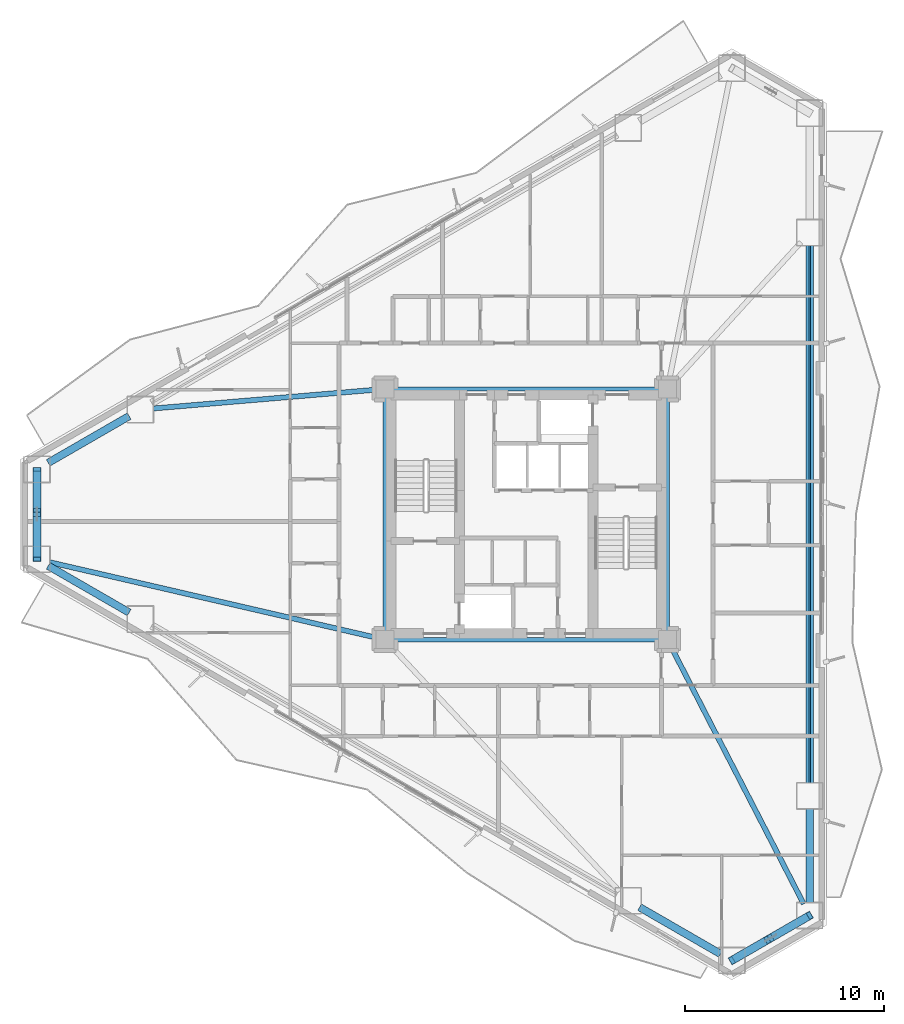
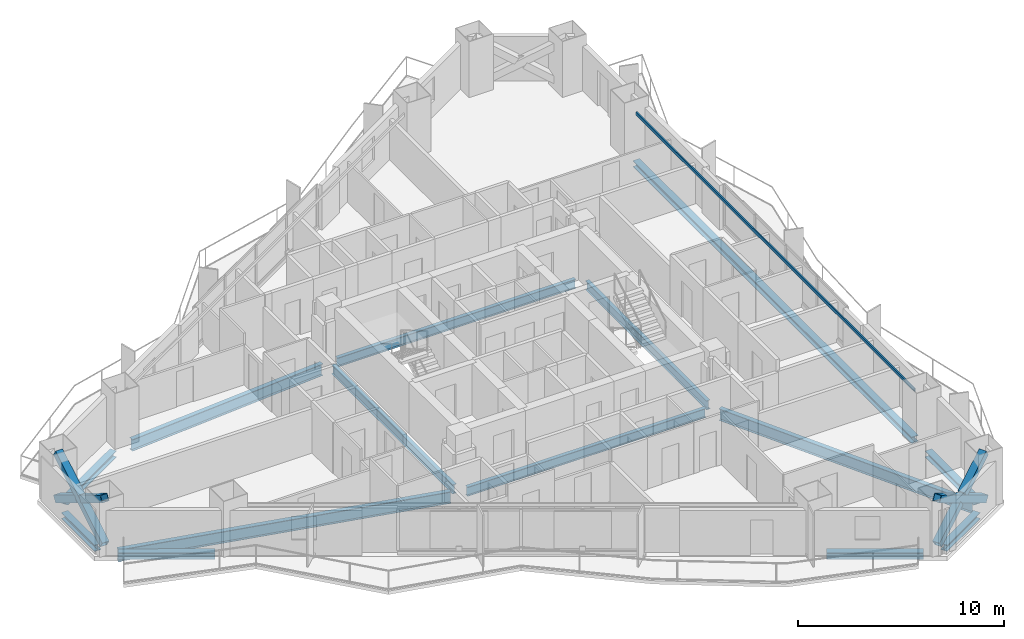
# One storey, part 5 of 18: 15 beams, 6 members.
"""IFC4 building model written with IfcOpenShell, lengths in metres."""

from ifc_helpers import new_model, si_unit, direction, frame, origin, origin_2d, place, context, subcontext, project, spatial, hollow_rectangle, i_section, extrude, material, material_profile, profile_set, type_object, element, save


model = new_model("IFC4")

# Units and contexts
model_context = context("Model", 3, precision=1e-05, world=origin(), true_north=direction((0.0, 1.0)))
body_context = subcontext(model_context, "Body", "Model", "MODEL_VIEW")
ifc_project = project(units=[si_unit("LENGTHUNIT", "METRE"), si_unit("AREAUNIT", "SQUARE_METRE"), si_unit("VOLUMEUNIT", "CUBIC_METRE"), si_unit("PLANEANGLEUNIT", "RADIAN"), si_unit("MASSUNIT", "GRAM", prefix="KILO")], contexts=[model_context])

# Site, building, storey
site_placement = place(None, origin())
site = spatial("IfcSite", under=ifc_project, at=site_placement, CompositionType="ELEMENT")
building_placement = place(site_placement, origin())
building = spatial("IfcBuilding", under=site, at=building_placement, Name="Mersakhor Tower and Convention Hall", CompositionType="ELEMENT")
storey_placement = place(building_placement, frame((0.0, 0.0, 58.800048828125)))
storey = spatial("IfcBuildingStorey", under=building, at=storey_placement, Name="L16", CompositionType="ELEMENT", Elevation=58.800048828125)

# Beams
ifc_material_1 = material(Name="Steel S355", Category="steel")
ifc_material_profile_1 = material_profile(ifc_material_1, i_section(OverallWidth=0.2099609375, OverallDepth=0.53662109375, WebThickness=0.0107421875, FlangeThickness=0.017333984375, at=origin_2d()), Name="UB 533x210x101")
ifc_profile_set_1 = profile_set([ifc_material_profile_1], Name="Steel S355")
beam_type_1 = type_object("IfcBeamType", Name="BM-FB-533", PredefinedType="BEAM", material=ifc_profile_set_1)
beam_1_placement = place(storey_placement, frame((21.89990234375, 20.8798828125, -0.5283203125), z_axis=(0.0, 1.0, 0.0), x_axis=(-1.0, 0.0, 0.0)))
element("IfcBeam", 1, at=beam_1_placement, inside=storey, type_object=beam_type_1, Name="L16 Core Ring Tie Beam CRB-1", PredefinedType="BEAM", context=body_context, shape_type="SweptSolid", body=[
    extrude(i_section(OverallWidth=0.2099609375, OverallDepth=0.53662109375, WebThickness=0.0107421875, FlangeThickness=0.017333984375, at=origin_2d()), origin(), (0.0, 0.0, 1.0), 11.740234375),
])
beam_2_placement = place(storey_placement, frame((22.330078125, 33.050048828125, -0.5283203125), z_axis=(1.0, 0.0, 0.0), x_axis=(0.0, 1.0, 0.0)))
element("IfcBeam", 2, at=beam_2_placement, inside=storey, type_object=beam_type_1, Name="L16 Core Ring Tie Beam CRB-2", PredefinedType="BEAM", context=body_context, shape_type="SweptSolid", body=[
    extrude(i_section(OverallWidth=0.2099609375, OverallDepth=0.53662109375, WebThickness=0.0107421875, FlangeThickness=0.017333984375, at=origin_2d()), origin(), (0.0, 0.0, 1.0), 13.33984375),
])
beam_3_placement = place(storey_placement, frame((36.10009765625, 32.6201171875, -0.5283203125), z_axis=(0.0, -1.0, 0.0), x_axis=(1.0, 0.0, 0.0)))
element("IfcBeam", 3, at=beam_3_placement, inside=storey, type_object=beam_type_1, Name="L16 Core Ring Tie Beam CRB-3", PredefinedType="BEAM", context=body_context, shape_type="SweptSolid", body=[
    extrude(i_section(OverallWidth=0.2099609375, OverallDepth=0.53662109375, WebThickness=0.0107421875, FlangeThickness=0.017333984375, at=origin_2d()), origin(), (0.0, 0.0, 1.0), 11.740234375),
])
beam_4_placement = place(storey_placement, frame((35.669921875, 20.449951171875, -0.5283203125), z_axis=(-1.0, 0.0, 0.0), x_axis=(0.0, -1.0, 0.0)))
element("IfcBeam", 4, at=beam_4_placement, inside=storey, type_object=beam_type_1, Name="L16 Core Ring Tie Beam CRB-4", PredefinedType="BEAM", context=body_context, shape_type="SweptSolid", body=[
    extrude(i_section(OverallWidth=0.2099609375, OverallDepth=0.53662109375, WebThickness=0.0107421875, FlangeThickness=0.017333984375, at=origin_2d()), origin(), (0.0, 0.0, 1.0), 13.33984375),
])
ifc_material_2 = material(Name="Steel S355", Category="steel")
ifc_material_profile_2 = material_profile(ifc_material_2, hollow_rectangle(XDim=0.080078125, YDim=0.179931640625, WallThickness=0.008056640625, at=origin_2d()), Name="RHS 180x80x8")
ifc_profile_set_2 = profile_set([ifc_material_profile_2], Name="Steel S355")
beam_type_2 = type_object("IfcBeamType", Name="BM-GRT-RHS180", PredefinedType="USERDEFINED", material=ifc_profile_set_2)
beam_5_placement = place(storey_placement, frame((43.25, 40.24951171875, 2.47998046875), z_axis=(0.0, -1.0, 0.0), x_axis=(1.0, 0.0, 0.0)))
element("IfcBeam", 5, at=beam_5_placement, inside=storey, type_object=beam_type_2, Name="L16 Facade Support Girt GRT-F2", ObjectType="GIRT", PredefinedType="USERDEFINED", context=body_context, shape_type="SweptSolid", body=[
    extrude(hollow_rectangle(XDim=0.080078125, YDim=0.179931640625, WallThickness=0.008056640625, at=origin_2d()), origin(), (0.0, 0.0, 1.0), 26.9990234375),
])
ifc_material_3 = material(Name="Steel S355", Category="steel")
ifc_material_profile_3 = material_profile(ifc_material_3, i_section(OverallWidth=0.25439453125, OverallDepth=0.6875, WebThickness=0.01318359375, FlangeThickness=0.02099609375, at=origin_2d()), Name="UB 686x254x152")
ifc_profile_set_3 = profile_set([ifc_material_profile_3], Name="Steel S355")
beam_type_3 = type_object("IfcBeamType", Name="BM-PR-686", PredefinedType="BEAM", material=ifc_profile_set_3)
beam_6_placement = place(storey_placement, frame((21.471435546875, 33.013916015625, -0.603759765625), z_axis=(-0.996458345442, -0.084087845732, 0.0), x_axis=(0.084087845732, -0.996458345442, 0.0)))
element("IfcBeam", 6, at=beam_6_placement, inside=storey, type_object=beam_type_3, Name="L16 Primary Floor Girder FG-1", PredefinedType="BEAM", context=body_context, shape_type="SweptSolid", body=[
    extrude(i_section(OverallWidth=0.25439453125, OverallDepth=0.6875, WebThickness=0.01318359375, FlangeThickness=0.02099609375, at=origin_2d()), origin(), (0.0, 0.0, 1.0), 11.241943359375),
])
beam_7_placement = place(storey_placement, frame((36.297119140625, 20.06787109375, -0.603759765625), z_axis=(0.458368239331, -0.888762373851, 0.0), x_axis=(0.888762373851, 0.458368239331, 0.0)))
element("IfcBeam", 7, at=beam_7_placement, inside=storey, type_object=beam_type_3, Name="L16 Primary Floor Girder FG-4", PredefinedType="BEAM", context=body_context, shape_type="SweptSolid", body=[
    extrude(i_section(OverallWidth=0.25439453125, OverallDepth=0.6875, WebThickness=0.01318359375, FlangeThickness=0.02099609375, at=origin_2d()), origin(), (0.0, 0.0, 1.0), 14.513671875),
])
beam_8_placement = place(storey_placement, frame((21.48095703125, 20.546875, -0.603759765625), z_axis=(-0.974327224334, 0.225136536175, 0.0), x_axis=(-0.225136536175, -0.974327224334, 0.0)))
element("IfcBeam", 8, at=beam_8_placement, inside=storey, type_object=beam_type_3, Name="L16 Primary Floor Girder FG-6", PredefinedType="BEAM", context=body_context, shape_type="SweptSolid", body=[
    extrude(i_section(OverallWidth=0.25439453125, OverallDepth=0.6875, WebThickness=0.01318359375, FlangeThickness=0.02099609375, at=origin_2d()), origin(), (0.0, 0.0, 1.0), 16.862548828125),
])
ifc_material_4 = material(Name="Steel S355", Category="steel")
ifc_material_profile_4 = material_profile(ifc_material_4, i_section(OverallWidth=0.374755859375, OverallDepth=0.37451171875, WebThickness=0.0166015625, FlangeThickness=0.027099609375, at=origin_2d()), Name="UC 356x368x202")
ifc_profile_set_4 = profile_set([ifc_material_profile_4], Name="Steel S355")
beam_type_4 = type_object("IfcBeamType", Name="BM-SPD-UC356", PredefinedType="SPANDREL", material=ifc_profile_set_4)
beam_9_placement = place(storey_placement, frame((4.980224609375, 29.3369140625, -0.447265625), z_axis=(0.86605407247, 0.499950341091, 0.0), x_axis=(-0.499950341091, 0.86605407247, 0.0)))
element("IfcBeam", 9, at=beam_9_placement, inside=storey, type_object=beam_type_4, Name="L16 Perimeter Spandrel Beam SPB-01", PredefinedType="SPANDREL", context=body_context, shape_type="SweptSolid", body=[
    extrude(i_section(OverallWidth=0.374755859375, OverallDepth=0.37451171875, WebThickness=0.0166015625, FlangeThickness=0.027099609375, at=origin_2d()), origin(), (0.0, 0.0, 1.0), 4.69873046875),
])
beam_10_placement = place(storey_placement, frame((43.25, 40.24951171875, -0.447265625), z_axis=(0.0, -1.0, 0.0), x_axis=(1.0, 0.0, 0.0)))
element("IfcBeam", 10, at=beam_10_placement, inside=storey, type_object=beam_type_4, Name="L16 Perimeter Spandrel Beam SPB-06", PredefinedType="SPANDREL", context=body_context, shape_type="SweptSolid", body=[
    extrude(i_section(OverallWidth=0.374755859375, OverallDepth=0.37451171875, WebThickness=0.0166015625, FlangeThickness=0.027099609375, at=origin_2d()), origin(), (0.0, 0.0, 1.0), 26.9990234375),
])
beam_11_placement = place(storey_placement, frame((43.25, 11.9404296875, -0.447265625), z_axis=(0.0, -1.0, 0.0), x_axis=(1.0, 0.0, 0.0)))
element("IfcBeam", 11, at=beam_11_placement, inside=storey, type_object=beam_type_4, Name="L16 Perimeter Spandrel Beam SPB-07", PredefinedType="SPANDREL", context=body_context, shape_type="SweptSolid", body=[
    extrude(i_section(OverallWidth=0.374755859375, OverallDepth=0.37451171875, WebThickness=0.0166015625, FlangeThickness=0.027099609375, at=origin_2d()), origin(), (0.0, 0.0, 1.0), 4.69873046875),
])
beam_12_placement = place(storey_placement, frame((42.682861328125, 6.25927734375, -0.447265625), z_axis=(-0.866038607556, -0.4999771297, 0.0), x_axis=(0.4999771297, -0.866038607556, 0.0)))
element("IfcBeam", 12, at=beam_12_placement, inside=storey, type_object=beam_type_4, Name="L16 Perimeter Spandrel Beam SPB-08", PredefinedType="SPANDREL", context=body_context, shape_type="SweptSolid", body=[
    extrude(i_section(OverallWidth=0.374755859375, OverallDepth=0.37451171875, WebThickness=0.0166015625, FlangeThickness=0.027099609375, at=origin_2d()), origin(), (0.0, 0.0, 1.0), 3.208740234375),
])
for number, where, z_axis, x_axis, name in (
    (13, (38.769775390625, 4.655029296875, -0.447265625), (-0.866031574723, 0.499989311469, 0.0), (-0.499989311469, -0.866031574723, 0.0), "L16 Perimeter Spandrel Beam SPB-09"),
    (14, (9.049560546875, 21.81396484375, -0.447265625), (-0.86605407247, 0.499950341091, 0.0), (-0.499950341091, -0.86605407247, 0.0), "L16 Perimeter Spandrel Beam SPB-11"),
):
    element("IfcBeam", number, at=place(storey_placement, frame(where, z_axis=z_axis, x_axis=x_axis)), inside=storey, type_object=beam_type_4, Name=name, PredefinedType="SPANDREL", context=body_context, shape_type="SweptSolid", body=[
        extrude(i_section(OverallWidth=0.374755859375, OverallDepth=0.37451171875, WebThickness=0.0166015625, FlangeThickness=0.027099609375, at=origin_2d()), origin(), (0.0, 0.0, 1.0), 4.69873046875),
    ])
beam_13_placement = place(storey_placement, frame((4.4130859375, 25.145751953125, -0.447265625), z_axis=(0.0, 1.0, 0.0), x_axis=(-1.0, 0.0, 0.0)))
element("IfcBeam", 15, at=beam_13_placement, inside=storey, type_object=beam_type_4, Name="L16 Perimeter Spandrel Beam SPB-12", PredefinedType="SPANDREL", context=body_context, shape_type="SweptSolid", body=[
    extrude(i_section(OverallWidth=0.374755859375, OverallDepth=0.37451171875, WebThickness=0.0166015625, FlangeThickness=0.027099609375, at=origin_2d()), origin(), (0.0, 0.0, 1.0), 3.20849609375),
])

# Members
ifc_material_5 = material(Name="Steel S460", Category="steel")
ifc_material_profile_5 = material_profile(ifc_material_5, hollow_rectangle(XDim=0.39990234375, YDim=0.39990234375, WallThickness=0.02490234375, at=origin_2d()), Name="SHS 400x400x25")
ifc_profile_set_5 = profile_set([ifc_material_profile_5], Name="Steel S460")
member_type = type_object("IfcMemberType", Name="MB-BRC-SHS400", PredefinedType="BRACE", material=ifc_profile_set_5)
member_1_placement = place(storey_placement, frame((43.25, 6.586669921875, 0.14990234375), z_axis=(-0.741961358643, -0.4283822319, 0.515734433282), x_axis=(0.500009315796, -0.86602002524, 0.0)))
element("IfcMember", 16, at=member_1_placement, inside=storey, type_object=member_type, Name="L16 Chamfer Braced Frame Diagonal CB-2A", PredefinedType="BRACE", context=body_context, shape_type="SweptSolid", body=[
    extrude(hollow_rectangle(XDim=0.39990234375, YDim=0.39990234375, WallThickness=0.02490234375, at=origin_2d()), origin(), (0.0, 0.0, 1.0), 5.27392578125),
])
member_2_placement = place(storey_placement, frame((39.3369140625, 4.327392578125, 0.14990234375), z_axis=(0.741942778844, 0.428379999398, 0.515763016353), x_axis=(-0.500016752221, 0.866015731669, 0.0)))
element("IfcMember", 17, at=member_2_placement, inside=storey, type_object=member_type, Name="L16 Chamfer Braced Frame Diagonal CB-2B Lower Half", PredefinedType="BRACE", context=body_context, shape_type="SweptSolid", body=[
    extrude(hollow_rectangle(XDim=0.39990234375, YDim=0.39990234375, WallThickness=0.02490234375, at=origin_2d()), origin(), (0.0, 0.0, 1.0), 2.40283203125),
])
member_3_placement = place(storey_placement, frame((41.46728515625, 5.5576171875, 1.630859375), z_axis=(0.74201395795, 0.428319478603, 0.515710878745), x_axis=(-0.499927796446, 0.866067086513, 0.0)))
element("IfcMember", 18, at=member_3_placement, inside=storey, type_object=member_type, Name="L16 Chamfer Braced Frame Diagonal CB-2B Upper Half", PredefinedType="BRACE", context=body_context, shape_type="SweptSolid", body=[
    extrude(hollow_rectangle(XDim=0.39990234375, YDim=0.39990234375, WallThickness=0.02490234375, at=origin_2d()), origin(), (0.0, 0.0, 1.0), 2.402587890625),
])
member_4_placement = place(storey_placement, frame((4.4130859375, 24.49072265625, 0.14990234375), z_axis=(0.0, 0.856752746885, 0.515727380216), x_axis=(-1.0, 0.0, 0.0)))
element("IfcMember", 19, at=member_4_placement, inside=storey, type_object=member_type, Name="L16 Chamfer Braced Frame Diagonal CB-3A", PredefinedType="BRACE", context=body_context, shape_type="SweptSolid", body=[
    extrude(hollow_rectangle(XDim=0.39990234375, YDim=0.39990234375, WallThickness=0.02490234375, at=origin_2d()), origin(), (0.0, 0.0, 1.0), 5.27392578125),
])
member_5_placement = place(storey_placement, frame((4.4130859375, 29.00927734375, 0.14990234375), z_axis=(0.0, -0.856738929885, 0.515750333029), x_axis=(1.0, 0.0, 0.0)))
element("IfcMember", 20, at=member_5_placement, inside=storey, type_object=member_type, Name="L16 Chamfer Braced Frame Diagonal CB-3B Lower Half", PredefinedType="BRACE", context=body_context, shape_type="SweptSolid", body=[
    extrude(hollow_rectangle(XDim=0.39990234375, YDim=0.39990234375, WallThickness=0.02490234375, at=origin_2d()), origin(), (0.0, 0.0, 1.0), 2.40283203125),
])
member_6_placement = place(storey_placement, frame((4.4130859375, 26.54931640625, 1.630859375), z_axis=(0.0, -0.856783824813, 0.515675748449), x_axis=(1.0, 0.0, 0.0)))
element("IfcMember", 21, at=member_6_placement, inside=storey, type_object=member_type, Name="L16 Chamfer Braced Frame Diagonal CB-3B Upper Half", PredefinedType="BRACE", context=body_context, shape_type="SweptSolid", body=[
    extrude(hollow_rectangle(XDim=0.39990234375, YDim=0.39990234375, WallThickness=0.02490234375, at=origin_2d()), origin(), (0.0, 0.0, 1.0), 2.402587890625),
])

save(model, "model.ifc")
